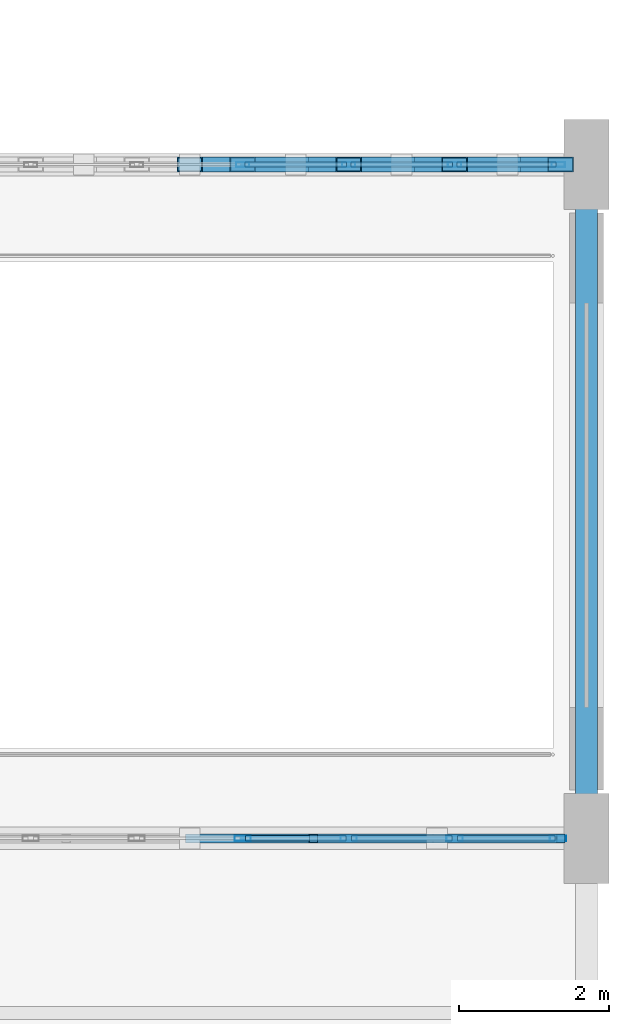
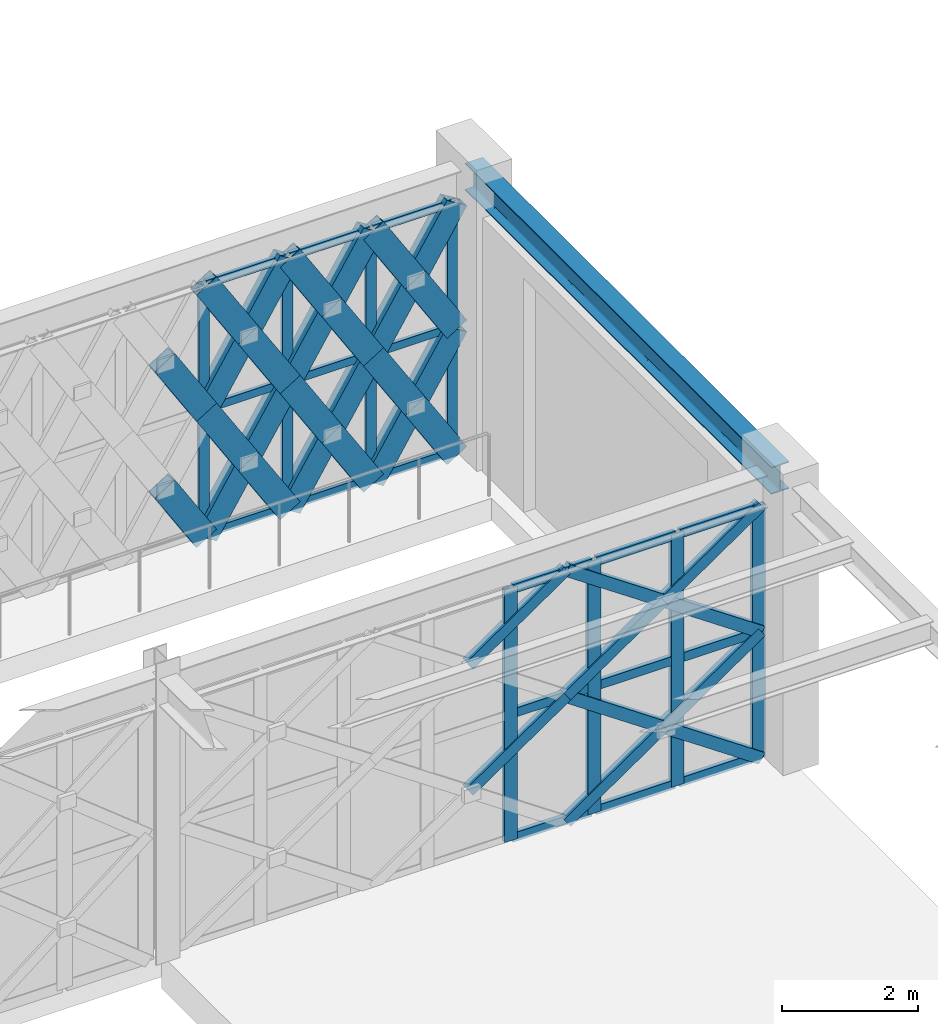
# One storey, part 100 of 140: 54 members, 1 beam, 2 elements without a shape of their own.
"""IFC4 building model written with IfcOpenShell, lengths in metres."""

from ifc_helpers import new_model, si_unit, direction, frame, origin, origin_2d, place, context, subcontext, project, spatial, hollow_rectangle, i_section, extrude, material, material_profile, profile_set, type_object, element, aggregate, save


model = new_model("IFC4")

# Units and contexts
model_context = context("Model", 3, precision=1e-05, world=origin(), true_north=direction((0.0, 1.0)))
body_context = subcontext(model_context, "Body", "Model", "MODEL_VIEW")
ifc_project = project(units=[si_unit("LENGTHUNIT", "METRE"), si_unit("AREAUNIT", "SQUARE_METRE"), si_unit("VOLUMEUNIT", "CUBIC_METRE"), si_unit("PLANEANGLEUNIT", "RADIAN"), si_unit("MASSUNIT", "GRAM", prefix="KILO")], contexts=[model_context])

# Site, building, storey
site_placement = place(None, origin())
site = spatial("IfcSite", under=ifc_project, at=site_placement, CompositionType="ELEMENT")
building_placement = place(site_placement, origin())
building = spatial("IfcBuilding", under=site, at=building_placement, Name="Haizhuo Lancet Aquarium", CompositionType="ELEMENT")
storey_placement = place(building_placement, origin())
storey = spatial("IfcBuildingStorey", under=building, at=storey_placement, Name="L00", CompositionType="ELEMENT", Elevation=0.0)

# Beam
ifc_material_1 = material(Name="Steel S355", Category="steel")
ifc_material_profile_1 = material_profile(ifc_material_1, i_section(OverallWidth=0.300048828125, OverallDepth=0.488037109375, WebThickness=0.010986328125, FlangeThickness=0.01806640625, FilletRadius=0.02392578125, at=origin_2d()), Name="HM 488x300x11x18")
ifc_profile_set_1 = profile_set([ifc_material_profile_1], Name="Steel S355")
beam_type = type_object("IfcBeamType", Name="BM-ST-HM488", PredefinedType="BEAM", material=ifc_profile_set_1)
beam_placement = place(storey_placement, frame((82.5, 9.0, 4.8759765625), z_axis=(0.0, 1.0, 0.0), x_axis=(-1.0, 0.0, 0.0)))
element("IfcBeam", 1, at=beam_placement, inside=storey, type_object=beam_type, Name="L00 V7 primary girder BM-L00-V7-029", PredefinedType="BEAM", context=body_context, shape_type="SweptSolid", body=[
    extrude(i_section(OverallWidth=0.300048828125, OverallDepth=0.488037109375, WebThickness=0.010986328125, FlangeThickness=0.01806640625, FilletRadius=0.02392578125, at=origin_2d()), origin(), (0.0, 0.0, 1.0), 9.0),
])

# Curtain wall, members
ifc_material_2 = material(Name="Aluminium 6063-T6", Category="aluminium")
curtain_wall_type_1 = type_object("IfcCurtainWallType", Name="CWD-9910x4530", PredefinedType="NOTDEFINED", material=ifc_material_2)
curtain_wall_1_placement = place(storey_placement, origin())
curtain_wall_1 = element("IfcCurtainWall", 2, at=curtain_wall_1_placement, inside=storey, type_object=curtain_wall_type_1, Name="L00 curtain wall CW-V7-L00-277", PredefinedType="NOTDEFINED")
ifc_material_profile_2 = material_profile(ifc_material_2, hollow_rectangle(XDim=0.06494140625, YDim=0.179931640625, WallThickness=0.00390625, at=origin_2d()), Name="ALU-M 65x180x4")
ifc_profile_set_2 = profile_set([ifc_material_profile_2], Name="Aluminium 6063-T6")
member_type_1 = type_object("IfcMemberType", Name="CW-MUL-1", PredefinedType="MULLION", material=ifc_profile_set_2)
member_1_placement = place(storey_placement, frame((77.907958984375, 18.0, 0.0), z_axis=(0.0, 0.0, 1.0), x_axis=(0.0, 1.0, 0.0)))
member_1 = element("IfcMember", 3, at=member_1_placement, type_object=member_type_1, Name="CWD-99x45 mullion 5", PredefinedType="MULLION", context=body_context, shape_type="SweptSolid", body=[
    extrude(hollow_rectangle(XDim=0.06494140625, YDim=0.179931640625, WallThickness=0.00390625, at=origin_2d()), origin(), (0.0, 0.0, 1.0), 4.531982421875),
])
member_2_placement = place(storey_placement, frame((79.323974609375, 18.0, 0.0), z_axis=(0.0, 0.0, 1.0), x_axis=(0.0, 1.0, 0.0)))
member_2 = element("IfcMember", 4, at=member_2_placement, type_object=member_type_1, Name="CWD-99x45 mullion 6", PredefinedType="MULLION", context=body_context, shape_type="SweptSolid", body=[
    extrude(hollow_rectangle(XDim=0.06494140625, YDim=0.179931640625, WallThickness=0.00390625, at=origin_2d()), origin(), (0.0, 0.0, 1.0), 4.531982421875),
])
member_3_placement = place(storey_placement, frame((80.739013671875, 18.0, 0.0), z_axis=(0.0, 0.0, 1.0), x_axis=(0.0, 1.0, 0.0)))
member_3 = element("IfcMember", 5, at=member_3_placement, type_object=member_type_1, Name="CWD-99x45 mullion 7", PredefinedType="MULLION", context=body_context, shape_type="SweptSolid", body=[
    extrude(hollow_rectangle(XDim=0.06494140625, YDim=0.179931640625, WallThickness=0.00390625, at=origin_2d()), origin(), (0.0, 0.0, 1.0), 4.531982421875),
])
member_4_placement = place(storey_placement, frame((82.123046875, 18.0, 0.0), z_axis=(0.0, 0.0, 1.0), x_axis=(0.0, 1.0, 0.0)))
member_4 = element("IfcMember", 6, at=member_4_placement, type_object=member_type_1, Name="CWD-99x45 mullion 8", PredefinedType="MULLION", context=body_context, shape_type="SweptSolid", body=[
    extrude(hollow_rectangle(XDim=0.06494140625, YDim=0.179931640625, WallThickness=0.00390625, at=origin_2d()), origin(), (0.0, 0.0, 1.0), 4.531982421875),
])

curtain_wall_type_2 = type_object("IfcCurtainWallType", Name="CWO-9910x4530", PredefinedType="NOTDEFINED", material=ifc_material_2)
curtain_wall_2_placement = place(storey_placement, origin())
curtain_wall_2 = element("IfcCurtainWall", 7, at=curtain_wall_2_placement, inside=storey, type_object=curtain_wall_type_2, Name="L00 curtain wall CW-V7-L00-278", PredefinedType="NOTDEFINED")
ifc_material_profile_3 = material_profile(ifc_material_2, hollow_rectangle(XDim=0.074951171875, YDim=0.219970703125, WallThickness=0.0048828125, at=origin_2d()), Name="ALU-M 75x220x5")
ifc_profile_set_3 = profile_set([ifc_material_profile_3], Name="Aluminium 6063-T6")
member_type_2 = type_object("IfcMemberType", Name="CW-MUL-2", PredefinedType="MULLION", material=ifc_profile_set_3)
member_5_placement = place(storey_placement, frame((82.117919921875, 9.0, 0.0), z_axis=(0.0, 0.0, 1.0), x_axis=(0.0, -1.0, 0.0)))
member_5 = element("IfcMember", 8, at=member_5_placement, type_object=member_type_2, Name="CWO-99x45 mullion 1", PredefinedType="MULLION", context=body_context, shape_type="SweptSolid", body=[
    extrude(hollow_rectangle(XDim=0.074951171875, YDim=0.219970703125, WallThickness=0.0048828125, at=origin_2d()), origin(), (0.0, 0.0, 1.0), 4.531982421875),
])
member_6_placement = place(storey_placement, frame((80.739013671875, 9.0, 0.0), z_axis=(0.0, 0.0, 1.0), x_axis=(0.0, -1.0, 0.0)))
member_6 = element("IfcMember", 9, at=member_6_placement, type_object=member_type_2, Name="CWO-99x45 mullion 2", PredefinedType="MULLION", context=body_context, shape_type="SweptSolid", body=[
    extrude(hollow_rectangle(XDim=0.074951171875, YDim=0.219970703125, WallThickness=0.0048828125, at=origin_2d()), origin(), (0.0, 0.0, 1.0), 4.531982421875),
])
member_7_placement = place(storey_placement, frame((79.323974609375, 9.0, 0.0), z_axis=(0.0, 0.0, 1.0), x_axis=(0.0, -1.0, 0.0)))
member_7 = element("IfcMember", 10, at=member_7_placement, type_object=member_type_2, Name="CWO-99x45 mullion 3", PredefinedType="MULLION", context=body_context, shape_type="SweptSolid", body=[
    extrude(hollow_rectangle(XDim=0.074951171875, YDim=0.219970703125, WallThickness=0.0048828125, at=origin_2d()), origin(), (0.0, 0.0, 1.0), 4.531982421875),
])
member_8_placement = place(storey_placement, frame((77.907958984375, 9.0, 0.0), z_axis=(0.0, 0.0, 1.0), x_axis=(0.0, -1.0, 0.0)))
member_8 = element("IfcMember", 11, at=member_8_placement, type_object=member_type_2, Name="CWO-99x45 mullion 4", PredefinedType="MULLION", context=body_context, shape_type="SweptSolid", body=[
    extrude(hollow_rectangle(XDim=0.074951171875, YDim=0.219970703125, WallThickness=0.0048828125, at=origin_2d()), origin(), (0.0, 0.0, 1.0), 4.531982421875),
])

# Member
ifc_material_profile_4 = material_profile(ifc_material_2, hollow_rectangle(XDim=0.06494140625, YDim=0.139892578125, WallThickness=0.00390625, at=origin_2d()), Name="ALU-T 65x140x4")
ifc_profile_set_4 = profile_set([ifc_material_profile_4], Name="Aluminium 6063-T6")
member_type_3 = type_object("IfcMemberType", Name="CW-TRN-1", PredefinedType="NOTDEFINED", material=ifc_profile_set_4)
member_9_placement = place(storey_placement, frame((77.93994140625, 18.0, 0.032958984375), z_axis=(1.0, 0.0, 0.0), x_axis=(0.0, 1.0, 0.0)))
member_9 = element("IfcMember", 12, at=member_9_placement, type_object=member_type_3, Name="CWD-99x45 transom 5.1", ObjectType="TRANSOM", PredefinedType="USERDEFINED", context=body_context, shape_type="SweptSolid", body=[
    extrude(hollow_rectangle(XDim=0.06494140625, YDim=0.139892578125, WallThickness=0.00390625, at=origin_2d()), origin(), (0.0, 0.0, 1.0), 1.35107421875),
])

member_10_placement = place(storey_placement, frame((77.93994140625, 18.0, 2.26611328125), z_axis=(1.0, 0.0, 0.0), x_axis=(0.0, 1.0, 0.0)))
member_10 = element("IfcMember", 13, at=member_10_placement, type_object=member_type_3, Name="CWD-99x45 transom 5.2", ObjectType="TRANSOM", PredefinedType="USERDEFINED", context=body_context, shape_type="SweptSolid", body=[
    extrude(hollow_rectangle(XDim=0.06494140625, YDim=0.139892578125, WallThickness=0.00390625, at=origin_2d()), origin(), (0.0, 0.0, 1.0), 1.35107421875),
])

member_11_placement = place(storey_placement, frame((77.93994140625, 18.0, 4.5), z_axis=(1.0, 0.0, 0.0), x_axis=(0.0, 1.0, 0.0)))
member_11 = element("IfcMember", 14, at=member_11_placement, type_object=member_type_3, Name="CWD-99x45 transom 5.3", ObjectType="TRANSOM", PredefinedType="USERDEFINED", context=body_context, shape_type="SweptSolid", body=[
    extrude(hollow_rectangle(XDim=0.06494140625, YDim=0.139892578125, WallThickness=0.00390625, at=origin_2d()), origin(), (0.0, 0.0, 1.0), 1.35107421875),
])

member_12_placement = place(storey_placement, frame((79.35595703125, 18.0, 0.032958984375), z_axis=(1.0, 0.0, 0.0), x_axis=(0.0, 1.0, 0.0)))
member_12 = element("IfcMember", 15, at=member_12_placement, type_object=member_type_3, Name="CWD-99x45 transom 6.1", ObjectType="TRANSOM", PredefinedType="USERDEFINED", context=body_context, shape_type="SweptSolid", body=[
    extrude(hollow_rectangle(XDim=0.06494140625, YDim=0.139892578125, WallThickness=0.00390625, at=origin_2d()), origin(), (0.0, 0.0, 1.0), 1.35107421875),
])

member_13_placement = place(storey_placement, frame((79.35595703125, 18.0, 2.26611328125), z_axis=(1.0, 0.0, 0.0), x_axis=(0.0, 1.0, 0.0)))
member_13 = element("IfcMember", 16, at=member_13_placement, type_object=member_type_3, Name="CWD-99x45 transom 6.2", ObjectType="TRANSOM", PredefinedType="USERDEFINED", context=body_context, shape_type="SweptSolid", body=[
    extrude(hollow_rectangle(XDim=0.06494140625, YDim=0.139892578125, WallThickness=0.00390625, at=origin_2d()), origin(), (0.0, 0.0, 1.0), 1.35107421875),
])

member_14_placement = place(storey_placement, frame((79.35595703125, 18.0, 4.5), z_axis=(1.0, 0.0, 0.0), x_axis=(0.0, 1.0, 0.0)))
member_14 = element("IfcMember", 17, at=member_14_placement, type_object=member_type_3, Name="CWD-99x45 transom 6.3", ObjectType="TRANSOM", PredefinedType="USERDEFINED", context=body_context, shape_type="SweptSolid", body=[
    extrude(hollow_rectangle(XDim=0.06494140625, YDim=0.139892578125, WallThickness=0.00390625, at=origin_2d()), origin(), (0.0, 0.0, 1.0), 1.35107421875),
])

member_15_placement = place(storey_placement, frame((80.77197265625, 18.0, 0.032958984375), z_axis=(1.0, 0.0, 0.0), x_axis=(0.0, 1.0, 0.0)))
member_15 = element("IfcMember", 18, at=member_15_placement, type_object=member_type_3, Name="CWD-99x45 transom 7.1", ObjectType="TRANSOM", PredefinedType="USERDEFINED", context=body_context, shape_type="SweptSolid", body=[
    extrude(hollow_rectangle(XDim=0.06494140625, YDim=0.139892578125, WallThickness=0.00390625, at=origin_2d()), origin(), (0.0, 0.0, 1.0), 1.318115234375),
])

member_16_placement = place(storey_placement, frame((80.77197265625, 18.0, 2.26611328125), z_axis=(1.0, 0.0, 0.0), x_axis=(0.0, 1.0, 0.0)))
member_16 = element("IfcMember", 19, at=member_16_placement, type_object=member_type_3, Name="CWD-99x45 transom 7.2", ObjectType="TRANSOM", PredefinedType="USERDEFINED", context=body_context, shape_type="SweptSolid", body=[
    extrude(hollow_rectangle(XDim=0.06494140625, YDim=0.139892578125, WallThickness=0.00390625, at=origin_2d()), origin(), (0.0, 0.0, 1.0), 1.318115234375),
])

member_17_placement = place(storey_placement, frame((80.77197265625, 18.0, 4.5), z_axis=(1.0, 0.0, 0.0), x_axis=(0.0, 1.0, 0.0)))
member_17 = element("IfcMember", 20, at=member_17_placement, type_object=member_type_3, Name="CWD-99x45 transom 7.3", ObjectType="TRANSOM", PredefinedType="USERDEFINED", context=body_context, shape_type="SweptSolid", body=[
    extrude(hollow_rectangle(XDim=0.06494140625, YDim=0.139892578125, WallThickness=0.00390625, at=origin_2d()), origin(), (0.0, 0.0, 1.0), 1.318115234375),
])

aggregate(curtain_wall_1, [member_1, member_2, member_3, member_4, member_9, member_10, member_11, member_12, member_13, member_14, member_15, member_16, member_17])

ifc_material_profile_5 = material_profile(ifc_material_2, hollow_rectangle(XDim=0.074951171875, YDim=0.159912109375, WallThickness=0.00390625, at=origin_2d()), Name="ALU-T 75x160x4")
ifc_profile_set_5 = profile_set([ifc_material_profile_5], Name="Aluminium 6063-T6")
member_type_4 = type_object("IfcMemberType", Name="CW-TRN-2", PredefinedType="NOTDEFINED", material=ifc_profile_set_5)
member_18_placement = place(storey_placement, frame((82.080078125, 9.0, 0.037109375), z_axis=(-1.0, 0.0, 0.0), x_axis=(0.0, -1.0, 0.0)))
member_18 = element("IfcMember", 21, at=member_18_placement, type_object=member_type_4, Name="CWO-99x45 transom 1.1", ObjectType="TRANSOM", PredefinedType="USERDEFINED", context=body_context, shape_type="SweptSolid", body=[
    extrude(hollow_rectangle(XDim=0.074951171875, YDim=0.159912109375, WallThickness=0.00390625, at=origin_2d()), origin(), (0.0, 0.0, 1.0), 1.302978515625),
])

member_19_placement = place(storey_placement, frame((82.080078125, 9.0, 2.26611328125), z_axis=(-1.0, 0.0, 0.0), x_axis=(0.0, -1.0, 0.0)))
member_19 = element("IfcMember", 22, at=member_19_placement, type_object=member_type_4, Name="CWO-99x45 transom 1.2", ObjectType="TRANSOM", PredefinedType="USERDEFINED", context=body_context, shape_type="SweptSolid", body=[
    extrude(hollow_rectangle(XDim=0.074951171875, YDim=0.159912109375, WallThickness=0.00390625, at=origin_2d()), origin(), (0.0, 0.0, 1.0), 1.302978515625),
])

member_20_placement = place(storey_placement, frame((82.080078125, 9.0, 4.4951171875), z_axis=(-1.0, 0.0, 0.0), x_axis=(0.0, -1.0, 0.0)))
member_20 = element("IfcMember", 23, at=member_20_placement, type_object=member_type_4, Name="CWO-99x45 transom 1.3", ObjectType="TRANSOM", PredefinedType="USERDEFINED", context=body_context, shape_type="SweptSolid", body=[
    extrude(hollow_rectangle(XDim=0.074951171875, YDim=0.159912109375, WallThickness=0.00390625, at=origin_2d()), origin(), (0.0, 0.0, 1.0), 1.302978515625),
])

member_21_placement = place(storey_placement, frame((80.701904296875, 9.0, 0.037109375), z_axis=(-1.0, 0.0, 0.0), x_axis=(0.0, -1.0, 0.0)))
member_21 = element("IfcMember", 24, at=member_21_placement, type_object=member_type_4, Name="CWO-99x45 transom 2.1", ObjectType="TRANSOM", PredefinedType="USERDEFINED", context=body_context, shape_type="SweptSolid", body=[
    extrude(hollow_rectangle(XDim=0.074951171875, YDim=0.159912109375, WallThickness=0.00390625, at=origin_2d()), origin(), (0.0, 0.0, 1.0), 1.3408203125),
])

member_22_placement = place(storey_placement, frame((80.701904296875, 9.0, 2.26611328125), z_axis=(-1.0, 0.0, 0.0), x_axis=(0.0, -1.0, 0.0)))
member_22 = element("IfcMember", 25, at=member_22_placement, type_object=member_type_4, Name="CWO-99x45 transom 2.2", ObjectType="TRANSOM", PredefinedType="USERDEFINED", context=body_context, shape_type="SweptSolid", body=[
    extrude(hollow_rectangle(XDim=0.074951171875, YDim=0.159912109375, WallThickness=0.00390625, at=origin_2d()), origin(), (0.0, 0.0, 1.0), 1.3408203125),
])

member_23_placement = place(storey_placement, frame((80.701904296875, 9.0, 4.4951171875), z_axis=(-1.0, 0.0, 0.0), x_axis=(0.0, -1.0, 0.0)))
member_23 = element("IfcMember", 26, at=member_23_placement, type_object=member_type_4, Name="CWO-99x45 transom 2.3", ObjectType="TRANSOM", PredefinedType="USERDEFINED", context=body_context, shape_type="SweptSolid", body=[
    extrude(hollow_rectangle(XDim=0.074951171875, YDim=0.159912109375, WallThickness=0.00390625, at=origin_2d()), origin(), (0.0, 0.0, 1.0), 1.3408203125),
])

member_24_placement = place(storey_placement, frame((79.285888671875, 9.0, 0.037109375), z_axis=(-1.0, 0.0, 0.0), x_axis=(0.0, -1.0, 0.0)))
member_24 = element("IfcMember", 27, at=member_24_placement, type_object=member_type_4, Name="CWO-99x45 transom 3.1", ObjectType="TRANSOM", PredefinedType="USERDEFINED", context=body_context, shape_type="SweptSolid", body=[
    extrude(hollow_rectangle(XDim=0.074951171875, YDim=0.159912109375, WallThickness=0.00390625, at=origin_2d()), origin(), (0.0, 0.0, 1.0), 1.3408203125),
])

member_25_placement = place(storey_placement, frame((79.285888671875, 9.0, 2.26611328125), z_axis=(-1.0, 0.0, 0.0), x_axis=(0.0, -1.0, 0.0)))
member_25 = element("IfcMember", 28, at=member_25_placement, type_object=member_type_4, Name="CWO-99x45 transom 3.2", ObjectType="TRANSOM", PredefinedType="USERDEFINED", context=body_context, shape_type="SweptSolid", body=[
    extrude(hollow_rectangle(XDim=0.074951171875, YDim=0.159912109375, WallThickness=0.00390625, at=origin_2d()), origin(), (0.0, 0.0, 1.0), 1.3408203125),
])

member_26_placement = place(storey_placement, frame((79.285888671875, 9.0, 4.4951171875), z_axis=(-1.0, 0.0, 0.0), x_axis=(0.0, -1.0, 0.0)))
member_26 = element("IfcMember", 29, at=member_26_placement, type_object=member_type_4, Name="CWO-99x45 transom 3.3", ObjectType="TRANSOM", PredefinedType="USERDEFINED", context=body_context, shape_type="SweptSolid", body=[
    extrude(hollow_rectangle(XDim=0.074951171875, YDim=0.159912109375, WallThickness=0.00390625, at=origin_2d()), origin(), (0.0, 0.0, 1.0), 1.3408203125),
])

aggregate(curtain_wall_2, [member_5, member_6, member_7, member_8, member_18, member_19, member_20, member_21, member_22, member_23, member_24, member_25, member_26])

# Members
ifc_material_profile_6 = material_profile(ifc_material_1, hollow_rectangle(XDim=0.1201171875, YDim=0.199951171875, WallThickness=0.008056640625, at=origin_2d()), Name="RHS 120x200x8")
ifc_profile_set_6 = profile_set([ifc_material_profile_6], Name="Steel S355")
member_type_5 = type_object("IfcMemberType", Name="MEM-LB-RHS120x200", PredefinedType="BRACE", material=ifc_profile_set_6)
member_27_placement = place(storey_placement, frame((82.155029296875, 9.0, 0.0), z_axis=(-0.824587501474, 0.0, 0.565734436298), x_axis=(0.0, -1.0, 0.0)))
element("IfcMember", 30, at=member_27_placement, inside=storey, type_object=member_type_5, Name="Gothic lancet continuous diagonal brace CW-V7-L00-278 1A", PredefinedType="BRACE", context=body_context, shape_type="SweptSolid", body=[
    extrude(hollow_rectangle(XDim=0.1201171875, YDim=0.199951171875, WallThickness=0.008056640625, at=origin_2d()), origin(), (0.0, 0.0, 1.0), 4.005615234375),
])
member_28_placement = place(storey_placement, frame((78.85205078125, 9.0, 0.0), z_axis=(0.824646010022, 0.0, 0.565649147578), x_axis=(0.0, 1.0, 0.0)))
element("IfcMember", 31, at=member_28_placement, inside=storey, type_object=member_type_5, Name="Gothic lancet split diagonal brace CW-V7-L00-278 1B1", PredefinedType="BRACE", context=body_context, shape_type="SweptSolid", body=[
    extrude(hollow_rectangle(XDim=0.1201171875, YDim=0.199951171875, WallThickness=0.008056640625, at=origin_2d()), origin(), (0.0, 0.0, 1.0), 2.003173828125),
])
member_29_placement = place(storey_placement, frame((80.50390625, 9.0, 1.133056640625), z_axis=(0.824528966455, 0.0, 0.565819744687), x_axis=(0.0, 1.0, 0.0)))
element("IfcMember", 32, at=member_29_placement, inside=storey, type_object=member_type_5, Name="Gothic lancet split diagonal brace CW-V7-L00-278 1B2", PredefinedType="BRACE", context=body_context, shape_type="SweptSolid", body=[
    extrude(hollow_rectangle(XDim=0.1201171875, YDim=0.199951171875, WallThickness=0.008056640625, at=origin_2d()), origin(), (0.0, 0.0, 1.0), 2.00244140625),
])
member_30_placement = place(storey_placement, frame((82.155029296875, 9.0, 2.26611328125), z_axis=(-0.824615934264, 0.0, 0.565692991788), x_axis=(0.0, -1.0, 0.0)))
element("IfcMember", 33, at=member_30_placement, inside=storey, type_object=member_type_5, Name="Gothic lancet continuous diagonal brace CW-V7-L00-278 2A", PredefinedType="BRACE", context=body_context, shape_type="SweptSolid", body=[
    extrude(hollow_rectangle(XDim=0.1201171875, YDim=0.199951171875, WallThickness=0.008056640625, at=origin_2d()), origin(), (0.0, 0.0, 1.0), 4.00537109375),
])
member_31_placement = place(storey_placement, frame((78.85205078125, 9.0, 2.26611328125), z_axis=(0.824702862367, 0.0, 0.565566255008), x_axis=(0.0, 1.0, 0.0)))
element("IfcMember", 34, at=member_31_placement, inside=storey, type_object=member_type_5, Name="Gothic lancet split diagonal brace CW-V7-L00-278 2B1", PredefinedType="BRACE", context=body_context, shape_type="SweptSolid", body=[
    extrude(hollow_rectangle(XDim=0.1201171875, YDim=0.199951171875, WallThickness=0.008056640625, at=origin_2d()), origin(), (0.0, 0.0, 1.0), 2.0029296875),
])
member_32_placement = place(storey_placement, frame((80.50390625, 9.0, 3.39892578125), z_axis=(0.824528966455, 0.0, 0.565819744687), x_axis=(0.0, 1.0, 0.0)))
element("IfcMember", 35, at=member_32_placement, inside=storey, type_object=member_type_5, Name="Gothic lancet split diagonal brace CW-V7-L00-278 2B2", PredefinedType="BRACE", context=body_context, shape_type="SweptSolid", body=[
    extrude(hollow_rectangle(XDim=0.1201171875, YDim=0.199951171875, WallThickness=0.008056640625, at=origin_2d()), origin(), (0.0, 0.0, 1.0), 2.00244140625),
])
for number, where, z_axis, x_axis, name in (
    (36, (77.199951171875, 9.0, 1.133056640625), (0.824685001021, 0.0, 0.565592299356), (0.0, 1.0, 0.0), "Gothic lancet split diagonal brace CW-V7-L00-278 3B2"),
    (37, (77.199951171875, 9.0, 3.39892578125), (0.824685001021, 0.0, 0.565592299356), (0.0, 1.0, 0.0), "Gothic lancet split diagonal brace CW-V7-L00-278 4B2"),
):
    element("IfcMember", number, at=place(storey_placement, frame(where, z_axis=z_axis, x_axis=x_axis)), inside=storey, type_object=member_type_5, Name=name, PredefinedType="BRACE", context=body_context, shape_type="SweptSolid", body=[
        extrude(hollow_rectangle(XDim=0.1201171875, YDim=0.199951171875, WallThickness=0.008056640625, at=origin_2d()), origin(), (0.0, 0.0, 1.0), 2.00341796875),
    ])
ifc_material_profile_7 = material_profile(ifc_material_1, hollow_rectangle(XDim=0.199951171875, YDim=0.39990234375, WallThickness=0.011962890625, at=origin_2d()), Name="RHS 200x400x12")
ifc_profile_set_7 = profile_set([ifc_material_profile_7], Name="Steel S355")
member_type_6 = type_object("IfcMemberType", Name="MEM-LB-RHS200x400", PredefinedType="BRACE", material=ifc_profile_set_7)
member_33_placement = place(storey_placement, frame((77.907958984375, 18.0, 0.0), z_axis=(-0.529916811704, 0.0, 0.848049628662), x_axis=(0.0, -1.0, 0.0)))
element("IfcMember", 38, at=member_33_placement, inside=storey, type_object=member_type_6, Name="Gothic lancet split diagonal brace CW-V7-L00-277 7B1", PredefinedType="BRACE", context=body_context, shape_type="SweptSolid", body=[
    extrude(hollow_rectangle(XDim=0.199951171875, YDim=0.39990234375, WallThickness=0.011962890625, at=origin_2d()), origin(), (0.0, 0.0, 1.0), 1.336181640625),
])
member_34_placement = place(storey_placement, frame((77.907958984375, 18.0, 2.26611328125), z_axis=(-0.529998940003, 0.0, 0.847998304005), x_axis=(0.0, -1.0, 0.0)))
element("IfcMember", 39, at=member_34_placement, inside=storey, type_object=member_type_6, Name="Gothic lancet split diagonal brace CW-V7-L00-277 8B1", PredefinedType="BRACE", context=body_context, shape_type="SweptSolid", body=[
    extrude(hollow_rectangle(XDim=0.199951171875, YDim=0.39990234375, WallThickness=0.011962890625, at=origin_2d()), origin(), (0.0, 0.0, 1.0), 1.3359375),
])
member_35_placement = place(storey_placement, frame((77.907958984375, 18.0, 0.0), z_axis=(0.529916811704, 0.0, 0.848049628662), x_axis=(0.0, 1.0, 0.0)))
element("IfcMember", 40, at=member_35_placement, inside=storey, type_object=member_type_6, Name="Gothic lancet continuous diagonal brace CW-V7-L00-277 9A", PredefinedType="BRACE", context=body_context, shape_type="SweptSolid", body=[
    extrude(hollow_rectangle(XDim=0.199951171875, YDim=0.39990234375, WallThickness=0.011962890625, at=origin_2d()), origin(), (0.0, 0.0, 1.0), 2.672119140625),
])
for number, where, z_axis, x_axis, name in (
    (41, (79.323974609375, 18.0, 0.0), (-0.529916811704, 0.0, 0.848049628662), (0.0, -1.0, 0.0), "Gothic lancet split diagonal brace CW-V7-L00-277 9B1"),
    (42, (78.615966796875, 18.0, 1.133056640625), (-0.529916811704, 0.0, 0.848049628662), (0.0, -1.0, 0.0), "Gothic lancet split diagonal brace CW-V7-L00-277 9B2"),
):
    element("IfcMember", number, at=place(storey_placement, frame(where, z_axis=z_axis, x_axis=x_axis)), inside=storey, type_object=member_type_6, Name=name, PredefinedType="BRACE", context=body_context, shape_type="SweptSolid", body=[
        extrude(hollow_rectangle(XDim=0.199951171875, YDim=0.39990234375, WallThickness=0.011962890625, at=origin_2d()), origin(), (0.0, 0.0, 1.0), 1.336181640625),
    ])
member_36_placement = place(storey_placement, frame((77.907958984375, 18.0, 2.26611328125), z_axis=(0.529957873293, 0.0, 0.848023969316), x_axis=(0.0, 1.0, 0.0)))
element("IfcMember", 43, at=member_36_placement, inside=storey, type_object=member_type_6, Name="Gothic lancet continuous diagonal brace CW-V7-L00-277 10A", PredefinedType="BRACE", context=body_context, shape_type="SweptSolid", body=[
    extrude(hollow_rectangle(XDim=0.199951171875, YDim=0.39990234375, WallThickness=0.011962890625, at=origin_2d()), origin(), (0.0, 0.0, 1.0), 2.671875),
])
member_37_placement = place(storey_placement, frame((79.323974609375, 18.0, 2.26611328125), z_axis=(-0.529998940003, 0.0, 0.847998304005), x_axis=(0.0, -1.0, 0.0)))
element("IfcMember", 44, at=member_37_placement, inside=storey, type_object=member_type_6, Name="Gothic lancet split diagonal brace CW-V7-L00-277 10B1", PredefinedType="BRACE", context=body_context, shape_type="SweptSolid", body=[
    extrude(hollow_rectangle(XDim=0.199951171875, YDim=0.39990234375, WallThickness=0.011962890625, at=origin_2d()), origin(), (0.0, 0.0, 1.0), 1.3359375),
])
member_38_placement = place(storey_placement, frame((78.615966796875, 18.0, 3.39892578125), z_axis=(-0.529916811704, 0.0, 0.848049628662), x_axis=(0.0, -1.0, 0.0)))
element("IfcMember", 45, at=member_38_placement, inside=storey, type_object=member_type_6, Name="Gothic lancet split diagonal brace CW-V7-L00-277 10B2", PredefinedType="BRACE", context=body_context, shape_type="SweptSolid", body=[
    extrude(hollow_rectangle(XDim=0.199951171875, YDim=0.39990234375, WallThickness=0.011962890625, at=origin_2d()), origin(), (0.0, 0.0, 1.0), 1.336181640625),
])
member_39_placement = place(storey_placement, frame((79.323974609375, 18.0, 0.0), z_axis=(0.529653900929, 0.0, 0.848213855835), x_axis=(0.0, 1.0, 0.0)))
element("IfcMember", 46, at=member_39_placement, inside=storey, type_object=member_type_6, Name="Gothic lancet continuous diagonal brace CW-V7-L00-277 11A", PredefinedType="BRACE", context=body_context, shape_type="SweptSolid", body=[
    extrude(hollow_rectangle(XDim=0.199951171875, YDim=0.39990234375, WallThickness=0.011962890625, at=origin_2d()), origin(), (0.0, 0.0, 1.0), 2.671630859375),
])
member_40_placement = place(storey_placement, frame((80.739013671875, 18.0, 0.0), z_axis=(-0.529916811704, 0.0, 0.848049628662), x_axis=(0.0, -1.0, 0.0)))
element("IfcMember", 47, at=member_40_placement, inside=storey, type_object=member_type_6, Name="Gothic lancet split diagonal brace CW-V7-L00-277 11B1", PredefinedType="BRACE", context=body_context, shape_type="SweptSolid", body=[
    extrude(hollow_rectangle(XDim=0.199951171875, YDim=0.39990234375, WallThickness=0.011962890625, at=origin_2d()), origin(), (0.0, 0.0, 1.0), 1.336181640625),
])
member_41_placement = place(storey_placement, frame((80.031005859375, 18.0, 1.133056640625), z_axis=(-0.529390837407, 0.0, 0.848378065057), x_axis=(0.0, -1.0, 0.0)))
element("IfcMember", 48, at=member_41_placement, inside=storey, type_object=member_type_6, Name="Gothic lancet split diagonal brace CW-V7-L00-277 11B2", PredefinedType="BRACE", context=body_context, shape_type="SweptSolid", body=[
    extrude(hollow_rectangle(XDim=0.199951171875, YDim=0.39990234375, WallThickness=0.011962890625, at=origin_2d()), origin(), (0.0, 0.0, 1.0), 1.33544921875),
])
member_42_placement = place(storey_placement, frame((79.323974609375, 18.0, 2.26611328125), z_axis=(0.529694958045, 0.0, 0.848188216979), x_axis=(0.0, 1.0, 0.0)))
element("IfcMember", 49, at=member_42_placement, inside=storey, type_object=member_type_6, Name="Gothic lancet continuous diagonal brace CW-V7-L00-277 12A", PredefinedType="BRACE", context=body_context, shape_type="SweptSolid", body=[
    extrude(hollow_rectangle(XDim=0.199951171875, YDim=0.39990234375, WallThickness=0.011962890625, at=origin_2d()), origin(), (0.0, 0.0, 1.0), 2.67138671875),
])
member_43_placement = place(storey_placement, frame((80.739013671875, 18.0, 2.26611328125), z_axis=(-0.529998940003, 0.0, 0.847998304005), x_axis=(0.0, -1.0, 0.0)))
element("IfcMember", 50, at=member_43_placement, inside=storey, type_object=member_type_6, Name="Gothic lancet split diagonal brace CW-V7-L00-277 12B1", PredefinedType="BRACE", context=body_context, shape_type="SweptSolid", body=[
    extrude(hollow_rectangle(XDim=0.199951171875, YDim=0.39990234375, WallThickness=0.011962890625, at=origin_2d()), origin(), (0.0, 0.0, 1.0), 1.3359375),
])
member_44_placement = place(storey_placement, frame((80.031005859375, 18.0, 3.39892578125), z_axis=(-0.529390837407, 0.0, 0.848378065057), x_axis=(0.0, -1.0, 0.0)))
element("IfcMember", 51, at=member_44_placement, inside=storey, type_object=member_type_6, Name="Gothic lancet split diagonal brace CW-V7-L00-277 12B2", PredefinedType="BRACE", context=body_context, shape_type="SweptSolid", body=[
    extrude(hollow_rectangle(XDim=0.199951171875, YDim=0.39990234375, WallThickness=0.011962890625, at=origin_2d()), origin(), (0.0, 0.0, 1.0), 1.33544921875),
])
member_45_placement = place(storey_placement, frame((80.739013671875, 18.0, 0.0), z_axis=(0.529916811704, 0.0, 0.848049628662), x_axis=(0.0, 1.0, 0.0)))
element("IfcMember", 52, at=member_45_placement, inside=storey, type_object=member_type_6, Name="Gothic lancet continuous diagonal brace CW-V7-L00-277 13A", PredefinedType="BRACE", context=body_context, shape_type="SweptSolid", body=[
    extrude(hollow_rectangle(XDim=0.199951171875, YDim=0.39990234375, WallThickness=0.011962890625, at=origin_2d()), origin(), (0.0, 0.0, 1.0), 2.672119140625),
])
for number, where, z_axis, x_axis, name in (
    (53, (82.155029296875, 18.0, 0.0), (-0.529916811704, 0.0, 0.848049628662), (0.0, -1.0, 0.0), "Gothic lancet split diagonal brace CW-V7-L00-277 13B1"),
    (54, (81.447021484375, 18.0, 1.133056640625), (-0.529916811704, 0.0, 0.848049628662), (0.0, -1.0, 0.0), "Gothic lancet split diagonal brace CW-V7-L00-277 13B2"),
):
    element("IfcMember", number, at=place(storey_placement, frame(where, z_axis=z_axis, x_axis=x_axis)), inside=storey, type_object=member_type_6, Name=name, PredefinedType="BRACE", context=body_context, shape_type="SweptSolid", body=[
        extrude(hollow_rectangle(XDim=0.199951171875, YDim=0.39990234375, WallThickness=0.011962890625, at=origin_2d()), origin(), (0.0, 0.0, 1.0), 1.336181640625),
    ])
member_46_placement = place(storey_placement, frame((80.739013671875, 18.0, 2.26611328125), z_axis=(0.529957873293, 0.0, 0.848023969316), x_axis=(0.0, 1.0, 0.0)))
element("IfcMember", 55, at=member_46_placement, inside=storey, type_object=member_type_6, Name="Gothic lancet continuous diagonal brace CW-V7-L00-277 14A", PredefinedType="BRACE", context=body_context, shape_type="SweptSolid", body=[
    extrude(hollow_rectangle(XDim=0.199951171875, YDim=0.39990234375, WallThickness=0.011962890625, at=origin_2d()), origin(), (0.0, 0.0, 1.0), 2.671875),
])
member_47_placement = place(storey_placement, frame((82.155029296875, 18.0, 2.26611328125), z_axis=(-0.529998940003, 0.0, 0.847998304005), x_axis=(0.0, -1.0, 0.0)))
element("IfcMember", 56, at=member_47_placement, inside=storey, type_object=member_type_6, Name="Gothic lancet split diagonal brace CW-V7-L00-277 14B1", PredefinedType="BRACE", context=body_context, shape_type="SweptSolid", body=[
    extrude(hollow_rectangle(XDim=0.199951171875, YDim=0.39990234375, WallThickness=0.011962890625, at=origin_2d()), origin(), (0.0, 0.0, 1.0), 1.3359375),
])
member_48_placement = place(storey_placement, frame((81.447021484375, 18.0, 3.39892578125), z_axis=(-0.529916811704, 0.0, 0.848049628662), x_axis=(0.0, -1.0, 0.0)))
element("IfcMember", 57, at=member_48_placement, inside=storey, type_object=member_type_6, Name="Gothic lancet split diagonal brace CW-V7-L00-277 14B2", PredefinedType="BRACE", context=body_context, shape_type="SweptSolid", body=[
    extrude(hollow_rectangle(XDim=0.199951171875, YDim=0.39990234375, WallThickness=0.011962890625, at=origin_2d()), origin(), (0.0, 0.0, 1.0), 1.336181640625),
])

save(model, "model.ifc")
